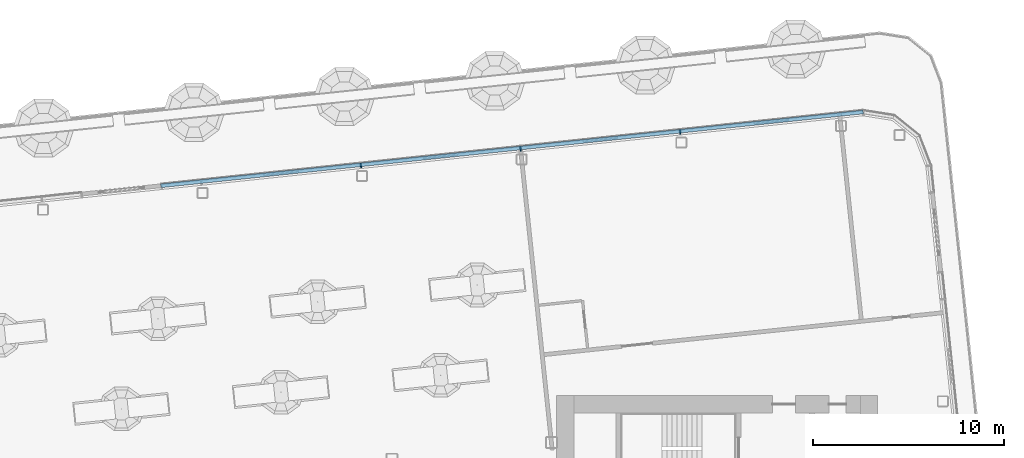
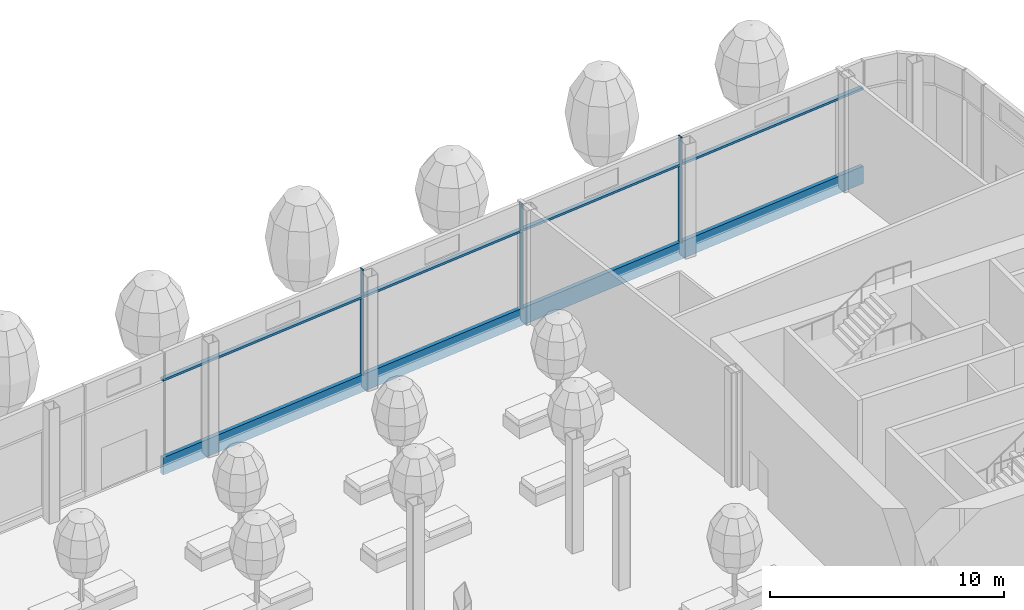
# One storey, part 8 of 42: 8 members, 1 element without a shape of its own.
"""IFC4 building model written with IfcOpenShell, lengths in metres."""

import ifcopenshell
import ifcopenshell.guid

model = None  # the IFC model being written
_history = None  # IfcOwnerHistory: only IFC2X3 demands one
_inside = {}  # id of a spatial element -> (the spatial element, [elements in it])
_under = {}  # id of a project, library or spatial element -> (it, [spatial elements below it])
_declared = {}  # id of a project -> (the project, [libraries it declares])
_typed = {}  # id of a type object -> (the type object, [elements of that type])
_made_of = {}  # id of a material, layer set ... -> (it, [elements and type objects made of it])


def new_model(schema):
    """Start an empty IFC model of exactly this schema.

    Asked for "IFC4X3", IfcOpenShell would pick the latest addendum, in which some entities
    have other attributes; the version numbers below select the first issue.
    IFC2X3 requires an IfcOwnerHistory on every rooted entity: one is made here for all.
    """
    global model, _history
    if schema == "IFC4X3":
        model = ifcopenshell.file(schema_version=(4, 3, 0, 0))
    else:
        model = ifcopenshell.file(schema=schema)
    _inside.clear()
    _under.clear()
    _declared.clear()
    _typed.clear()
    _made_of.clear()
    _history = None
    if model.schema == "IFC2X3":
        org = make("IfcOrganization", Name="unknown")
        user = make(
            "IfcPersonAndOrganization",
            ThePerson=make("IfcPerson", FamilyName="unknown"),
            TheOrganization=org,
        )
        app = make(
            "IfcApplication",
            ApplicationDeveloper=org,
            Version="unknown",
            ApplicationFullName="unknown",
            ApplicationIdentifier="unknown",
        )
        _history = make(
            "IfcOwnerHistory",
            OwningUser=user,
            OwningApplication=app,
            ChangeAction="ADDED",
            CreationDate=0,
        )
    return model


def make(cls, **values):
    """One entity of the class cls with the attributes given. An attribute that is None is left unset."""
    return model.create_entity(
        cls, **{name: value for name, value in values.items() if value is not None}
    )


def rooted(cls, **values):
    """An entity with a GlobalId (a new one), such as an element, a storey or a relation."""
    return make(cls, GlobalId=ifcopenshell.guid.new(), OwnerHistory=_history, **values)


def si_unit(unit_type, name, prefix=None):
    """IfcSIUnit, for example si_unit("LENGTHUNIT", "METRE", prefix="MILLI")."""
    return make("IfcSIUnit", UnitType=unit_type, Prefix=prefix, Name=name)


def assignment(units):
    """IfcUnitAssignment: the units of a project."""
    return None if units is None else make("IfcUnitAssignment", Units=units)


def point(xyz):
    """IfcCartesianPoint."""
    return None if xyz is None else make("IfcCartesianPoint", Coordinates=xyz)


def direction(xyz):
    """IfcDirection."""
    return None if xyz is None else make("IfcDirection", DirectionRatios=xyz)


def frame(location, z_axis=None, x_axis=None):
    """IfcAxis2Placement3D, a coordinate frame: its origin and axes. An axis left out is left unset."""
    return make(
        "IfcAxis2Placement3D",
        Location=point(location),
        Axis=direction(z_axis),
        RefDirection=direction(x_axis),
    )


def frame_2d(location, x_axis=None):
    """IfcAxis2Placement2D, a coordinate frame in the plane: its origin and x axis."""
    return make(
        "IfcAxis2Placement2D", Location=point(location), RefDirection=direction(x_axis)
    )


def origin():
    """The frame at (0, 0, 0) with its axes left unset."""
    return frame((0.0, 0.0, 0.0))


def origin_2d():
    """The frame at (0, 0) in the plane with its x axis left unset."""
    return frame_2d((0.0, 0.0))


def place(relative_to, where):
    """IfcLocalPlacement: puts the frame where relative to a parent placement (None: the world)."""
    return make(
        "IfcLocalPlacement", PlacementRelTo=relative_to, RelativePlacement=where
    )


def context(
    kind, dimensions, precision=None, world=None, true_north=None, identifier=None
):
    """IfcGeometricRepresentationContext, for example the 3D "Model" context."""
    return make(
        "IfcGeometricRepresentationContext",
        ContextIdentifier=identifier,
        ContextType=kind,
        CoordinateSpaceDimension=dimensions,
        Precision=precision,
        WorldCoordinateSystem=world,
        TrueNorth=true_north,
    )


def subcontext(parent, identifier, kind, view, scale=None):
    """IfcGeometricRepresentationSubContext, for example "Body" below "Model"."""
    return make(
        "IfcGeometricRepresentationSubContext",
        ContextIdentifier=identifier,
        ContextType=kind,
        ParentContext=parent,
        TargetScale=scale,
        TargetView=view,
    )


def project(units=None, contexts=None):
    """IfcProject with its units and contexts."""
    return rooted(
        "IfcProject",
        Name="project",
        RepresentationContexts=contexts,
        UnitsInContext=assignment(units),
    )


def spatial(cls, under=None, at=None, **own):
    """A site, building, storey or space (cls), placed at a placement, below another one or the project."""
    s = rooted(cls, ObjectPlacement=at, **own)
    if under is not None:
        _under.setdefault(under.id(), (under, []))[1].append(s)
    return s


def profile(cls, at=None, kind="AREA", **sizes):
    """A parametric profile (cls). Its sizes go by their IFC names, for example OverallWidth=200.0."""
    return make(cls, ProfileType=kind, Position=at, **sizes)


def rectangle(**sizes):
    """IfcRectangleProfileDef."""
    return profile("IfcRectangleProfileDef", **sizes)


def extrude(swept, where, along, depth):
    """IfcExtrudedAreaSolid: the profile swept, set in the frame where, extruded along a direction by depth."""
    return make(
        "IfcExtrudedAreaSolid",
        SweptArea=swept,
        Position=where,
        ExtrudedDirection=direction(along),
        Depth=depth,
    )


def shape(context_of_items, identifier, shape_type, items):
    """IfcShapeRepresentation: the items that make up one representation, for example the "Body"."""
    return make(
        "IfcShapeRepresentation",
        ContextOfItems=context_of_items,
        RepresentationIdentifier=identifier,
        RepresentationType=shape_type,
        Items=items,
    )


def material(Name=None, Category=None):
    """IfcMaterial."""
    return make("IfcMaterial", Name=Name, Category=Category)


def layer(
    of_material, thickness, ventilated=None, Name=None, Category=None, Priority=None
):
    """IfcMaterialLayer: one layer of a wall or slab, of a material (None: an air gap)."""
    return make(
        "IfcMaterialLayer",
        Material=of_material,
        LayerThickness=thickness,
        IsVentilated=ventilated,
        Name=Name,
        Category=Category,
        Priority=Priority,
    )


def layer_set(layers, Name=None):
    """IfcMaterialLayerSet."""
    return make("IfcMaterialLayerSet", MaterialLayers=layers, LayerSetName=Name)


def material_profile(
    of_material, cross_section, Name=None, Category=None, Priority=None
):
    """IfcMaterialProfile: a cross section and its material."""
    return make(
        "IfcMaterialProfile",
        Name=Name,
        Material=of_material,
        Profile=cross_section,
        Priority=Priority,
        Category=Category,
    )


def profile_set(profiles, Name=None, composite=None):
    """IfcMaterialProfileSet."""
    return make(
        "IfcMaterialProfileSet",
        Name=Name,
        MaterialProfiles=profiles,
        CompositeProfile=composite,
    )


def made_of(thing, what):
    """Note that an element or type object is made of a material, layer set ...; save() writes the relation."""
    if what is not None:
        _made_of.setdefault(what.id(), (what, []))[1].append(thing)
    return thing


def type_object(cls, material=None, **own):
    """A type object (cls), such as IfcWallType, which elements share."""
    return made_of(rooted(cls, **own), material)


def element(
    cls,
    number,
    at=None,
    inside=None,
    cuts=None,
    type_object=None,
    material=None,
    context=None,
    identifier="Body",
    shape_type=None,
    held_by="IfcProductDefinitionShape",
    body=None,
    shapes=None,
    **own,
):
    """One element of the class cls, such as IfcWall. Its Tag is "e" and its number.

    at: its placement. inside: the storey or other place that contains it. cuts: it is an
    opening in that element (IfcRelVoidsElement). A single representation is given by context,
    identifier, shape_type and body (its items); several are given by shapes. held_by: the class
    of the entity that holds the representations. save() writes the other relations.
    """
    e = rooted(cls, Tag="e%d" % number, ObjectPlacement=at, **own)
    if body is not None:
        shapes = [shape(context, identifier, shape_type, body)]
    if shapes is not None:
        e.Representation = make(held_by, Representations=shapes)
    if inside is not None:
        _inside.setdefault(inside.id(), (inside, []))[1].append(e)
    if cuts is not None:
        rooted(
            "IfcRelVoidsElement", RelatingBuildingElement=cuts, RelatedOpeningElement=e
        )
    if type_object is not None:
        _typed.setdefault(type_object.id(), (type_object, []))[1].append(e)
    return made_of(e, material)


def aggregate(whole, parts):
    """IfcRelAggregates: a whole, such as a stair, and the parts it consists of."""
    return rooted("IfcRelAggregates", RelatingObject=whole, RelatedObjects=parts)


def save(model, path):
    """Write the relations noted so far, then the file.

    IfcRelAggregates (storeys below a building ...), IfcRelContainedInSpatialStructure (elements
    in a storey), IfcRelDefinesByType, IfcRelAssociatesMaterial and IfcRelDeclares: one each for
    every whole, place, type object, material and project.
    """
    for whole, parts in _under.values():
        aggregate(whole, parts)
    for where, things in _inside.values():
        rooted(
            "IfcRelContainedInSpatialStructure",
            RelatedElements=things,
            RelatingStructure=where,
        )
    for kind, things in _typed.values():
        rooted("IfcRelDefinesByType", RelatedObjects=things, RelatingType=kind)
    for what, things in _made_of.values():
        rooted("IfcRelAssociatesMaterial", RelatedObjects=things, RelatingMaterial=what)
    for by, libraries in _declared.values():
        rooted("IfcRelDeclares", RelatingContext=by, RelatedDefinitions=libraries)
    model.write(path)


model = new_model("IFC4")

# Units and contexts
model_context = context("Model", 3, precision=1e-05, world=origin(), true_north=direction((0.0, 1.0)))
body_context = subcontext(model_context, "Body", "Model", "MODEL_VIEW")
ifc_project = project(units=[si_unit("LENGTHUNIT", "METRE"), si_unit("AREAUNIT", "SQUARE_METRE"), si_unit("VOLUMEUNIT", "CUBIC_METRE"), si_unit("PLANEANGLEUNIT", "RADIAN"), si_unit("MASSUNIT", "GRAM", prefix="KILO")], contexts=[model_context])

# Site, building, storey
site_placement = place(None, origin())
site = spatial("IfcSite", under=ifc_project, at=site_placement, CompositionType="ELEMENT")
building_placement = place(site_placement, origin())
building = spatial("IfcBuilding", under=site, at=building_placement, Name="Hakoniwa Tower and Hamabe Station Hall", CompositionType="ELEMENT")
storey_placement = place(building_placement, frame((0.0, 0.0, 232.60009765625)))
storey = spatial("IfcBuildingStorey", under=building, at=storey_placement, Name="L66", CompositionType="ELEMENT", Elevation=232.60009765625)

# Curtain wall, members
ifc_material_1 = material(Name="Dark low-e laminated glass", Category="glass")
ifc_layer = layer(ifc_material_1, 0.199951171875)
ifc_layer_set = layer_set([ifc_layer], Name="CW-2 SKY GARDEN")
curtain_wall_type = type_object("IfcCurtainWallType", Name="CW-2 SKY GARDEN", PredefinedType="NOTDEFINED", material=ifc_layer_set)
curtain_wall_placement = place(storey_placement, origin())
curtain_wall = element("IfcCurtainWall", 1, at=curtain_wall_placement, inside=storey, type_object=curtain_wall_type, Name="CW-2 curtain wall", PredefinedType="NOTDEFINED")
ifc_material_2 = material(Name="Aluminium 6063-T5 black anodised", Category="aluminium")
ifc_material_profile_1 = material_profile(ifc_material_2, rectangle(XDim=0.199951171875, YDim=0.1201171875, at=origin_2d()), Name="CW MID TRANSOM 120X200")
ifc_profile_set_1 = profile_set([ifc_material_profile_1], Name="Aluminium 6063-T5 black anodised")
member_type_1 = type_object("IfcMemberType", Name="CW MID TRANSOM 120X200", PredefinedType="USERDEFINED", material=ifc_profile_set_1)
member_1_placement = place(storey_placement, frame((32.850830078125, 23.24755859375, 4.389892578125), z_axis=(-0.994521543613, -0.104531809943, 0.0), x_axis=(0.104531809943, -0.994521543613, 0.0)))
member_1 = element("IfcMember", 2, at=member_1_placement, type_object=member_type_1, Name="CW-2 transom", ObjectType="TRANSOM", PredefinedType="USERDEFINED", context=body_context, shape_type="SweptSolid", body=[
    extrude(rectangle(XDim=0.199951171875, YDim=0.1201171875, at=origin_2d()), origin(), (0.0, 0.0, 1.0), 36.9697265625),
])
ifc_material_3 = material(Name="Aluminium 6063-T5 black anodised", Category="aluminium")
ifc_material_profile_2 = material_profile(ifc_material_3, rectangle(XDim=0.199951171875, YDim=0.89990234375, at=origin_2d()), Name="CW SLAB-EDGE BAND 900X200")
ifc_profile_set_2 = profile_set([ifc_material_profile_2], Name="Aluminium 6063-T5 black anodised")
member_type_2 = type_object("IfcMemberType", Name="CW SLAB-EDGE BAND 900X200", PredefinedType="USERDEFINED", material=ifc_profile_set_2)
member_2_placement = place(storey_placement, frame((32.850830078125, 23.24755859375, -0.10009765625), z_axis=(-0.994521543613, -0.104531809943, 0.0), x_axis=(0.104531809943, -0.994521543613, 0.0)))
member_2 = element("IfcMember", 3, at=member_2_placement, type_object=member_type_2, Name="CW-2 transom", ObjectType="TRANSOM", PredefinedType="USERDEFINED", context=body_context, shape_type="SweptSolid", body=[
    extrude(rectangle(XDim=0.199951171875, YDim=0.89990234375, at=origin_2d()), origin(), (0.0, 0.0, 1.0), 36.9697265625),
])
ifc_material_4 = material(Name="Aluminium 6063-T5 black anodised", Category="aluminium")
ifc_material_profile_3 = material_profile(ifc_material_4, rectangle(XDim=0.06005859375, YDim=0.239990234375, at=origin_2d()), Name="CW-2 MULLION 60X240")
ifc_profile_set_3 = profile_set([ifc_material_profile_3], Name="Aluminium 6063-T5 black anodised")
member_type_3 = type_object("IfcMemberType", Name="CW-2 MULLION 60X240", PredefinedType="MULLION", material=ifc_profile_set_3)
member_3_placement = place(storey_placement, frame((23.26904296875, 22.192138671875, 0.349853515625), z_axis=(0.0, 0.0, 1.0), x_axis=(-0.994521895272, -0.104528464188, 0.0)))
member_3 = element("IfcMember", 4, at=member_3_placement, type_object=member_type_3, Name="CW-2 mullion", PredefinedType="MULLION", context=body_context, shape_type="SweptSolid", body=[
    extrude(rectangle(XDim=0.06005859375, YDim=0.239990234375, at=origin_2d()), origin(), (0.0, 0.0, 1.0), 3.97998046875),
])
member_4_placement = place(storey_placement, frame((23.26904296875, 22.192138671875, 4.449951171875), z_axis=(0.0, 0.0, 1.0), x_axis=(-0.994521895272, -0.104528464188, 0.0)))
member_4 = element("IfcMember", 5, at=member_4_placement, type_object=member_type_3, Name="CW-2 mullion", PredefinedType="MULLION", context=body_context, shape_type="SweptSolid", body=[
    extrude(rectangle(XDim=0.06005859375, YDim=0.239990234375, at=origin_2d()), origin(), (0.0, 0.0, 1.0), 1.39990234375),
])
member_5_placement = place(storey_placement, frame((14.9150390625, 21.314208984375, 0.349853515625), z_axis=(0.0, 0.0, 1.0), x_axis=(-0.994521895272, -0.104528464188, 0.0)))
member_5 = element("IfcMember", 6, at=member_5_placement, type_object=member_type_3, Name="CW-2 mullion", PredefinedType="MULLION", context=body_context, shape_type="SweptSolid", body=[
    extrude(rectangle(XDim=0.06005859375, YDim=0.239990234375, at=origin_2d()), origin(), (0.0, 0.0, 1.0), 3.97998046875),
])
member_6_placement = place(storey_placement, frame((14.9150390625, 21.314208984375, 4.449951171875), z_axis=(0.0, 0.0, 1.0), x_axis=(-0.994521895272, -0.104528464188, 0.0)))
member_6 = element("IfcMember", 7, at=member_6_placement, type_object=member_type_3, Name="CW-2 mullion", PredefinedType="MULLION", context=body_context, shape_type="SweptSolid", body=[
    extrude(rectangle(XDim=0.06005859375, YDim=0.239990234375, at=origin_2d()), origin(), (0.0, 0.0, 1.0), 1.39990234375),
])
member_7_placement = place(storey_placement, frame((6.56103515625, 20.43603515625, 0.349853515625), z_axis=(0.0, 0.0, 1.0), x_axis=(-0.994521895272, -0.104528464188, 0.0)))
member_7 = element("IfcMember", 8, at=member_7_placement, type_object=member_type_3, Name="CW-2 mullion", PredefinedType="MULLION", context=body_context, shape_type="SweptSolid", body=[
    extrude(rectangle(XDim=0.06005859375, YDim=0.239990234375, at=origin_2d()), origin(), (0.0, 0.0, 1.0), 3.97998046875),
])
member_8_placement = place(storey_placement, frame((6.56103515625, 20.43603515625, 4.449951171875), z_axis=(0.0, 0.0, 1.0), x_axis=(-0.994521895272, -0.104528464188, 0.0)))
member_8 = element("IfcMember", 9, at=member_8_placement, type_object=member_type_3, Name="CW-2 mullion", PredefinedType="MULLION", context=body_context, shape_type="SweptSolid", body=[
    extrude(rectangle(XDim=0.06005859375, YDim=0.239990234375, at=origin_2d()), origin(), (0.0, 0.0, 1.0), 1.39990234375),
])
aggregate(curtain_wall, [member_3, member_4, member_5, member_6, member_7, member_8, member_2, member_1])

save(model, "model.ifc")
